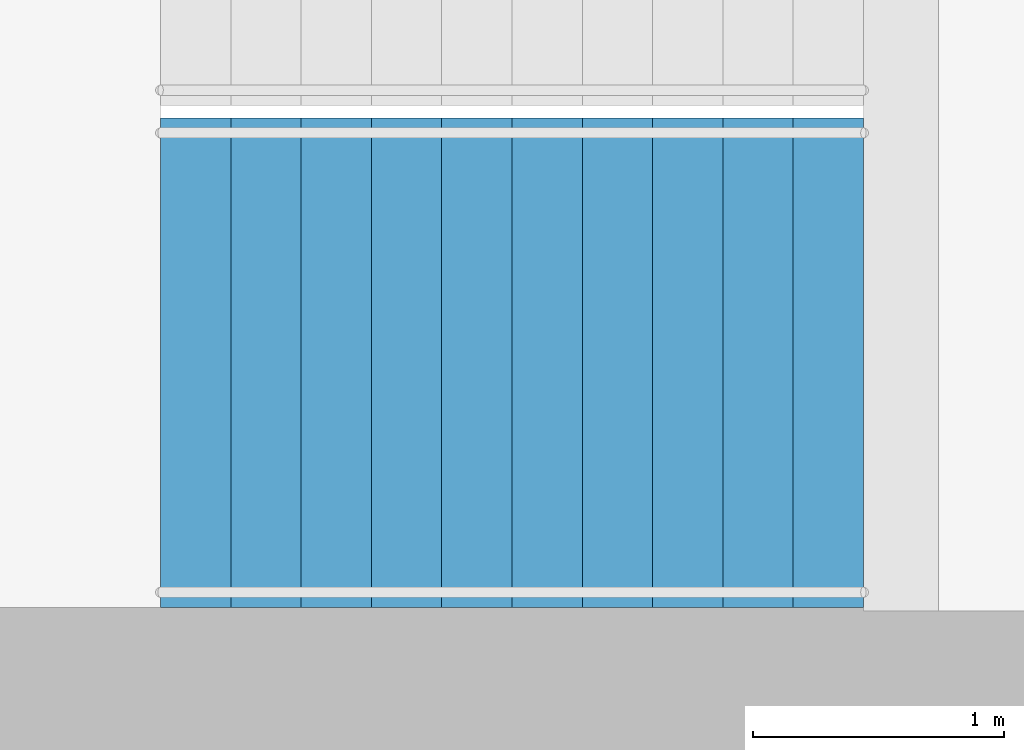
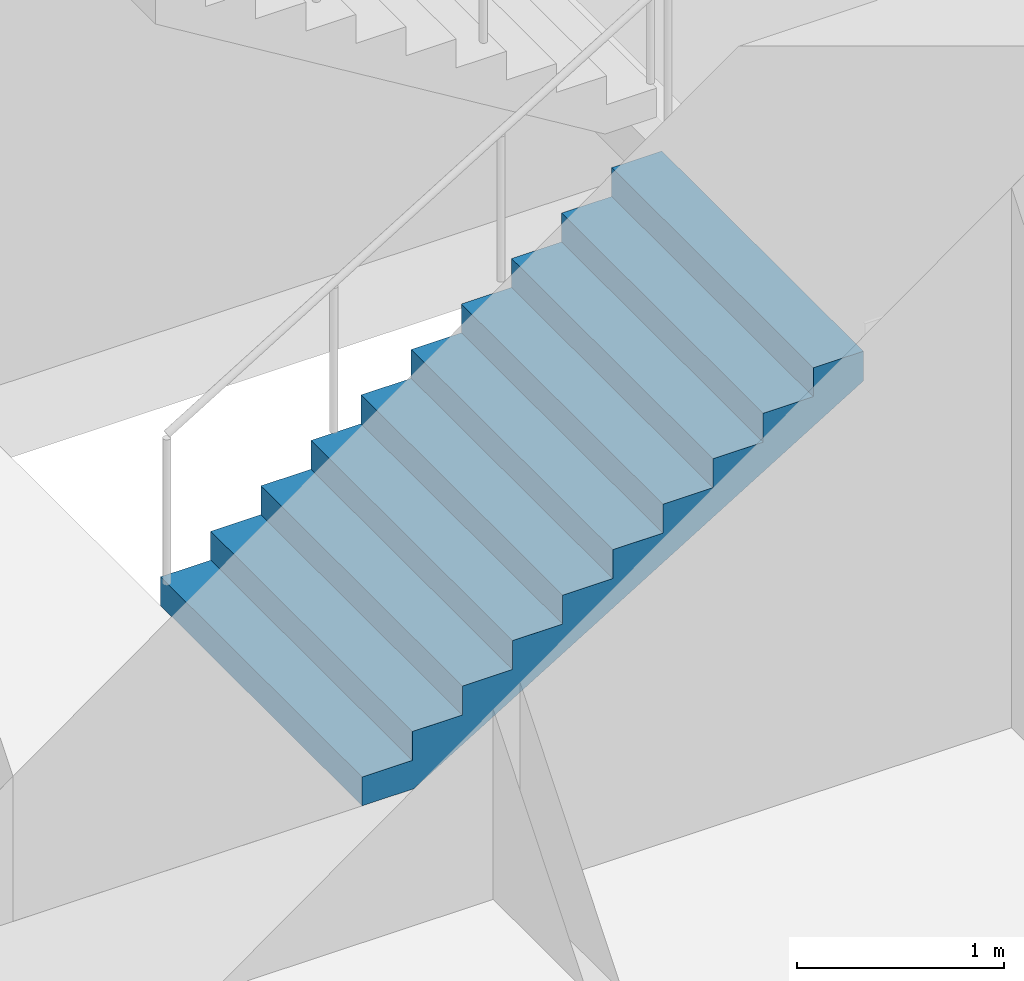
# One storey, part 22 of 28: 1 stair flight, 1 element without a shape of its own.
"""IFC4 building model written with IfcOpenShell, lengths in metres."""

from ifc_helpers import new_model, si_unit, direction, frame, origin, place, context, subcontext, project, spatial, triangles, material, type_object, element, aggregate, save


model = new_model("IFC4")

# Units and contexts
model_context = context("Model", 3, precision=1e-05, world=origin(), true_north=direction((0.0, 1.0)))
body_context = subcontext(model_context, "Body", "Model", "MODEL_VIEW")
ifc_project = project(units=[si_unit("LENGTHUNIT", "METRE"), si_unit("AREAUNIT", "SQUARE_METRE"), si_unit("VOLUMEUNIT", "CUBIC_METRE"), si_unit("PLANEANGLEUNIT", "RADIAN"), si_unit("MASSUNIT", "GRAM", prefix="KILO")], contexts=[model_context])

# Site, building, storey
site_placement = place(None, origin())
site = spatial("IfcSite", under=ifc_project, at=site_placement, CompositionType="ELEMENT")
building_placement = place(site_placement, origin())
building = spatial("IfcBuilding", under=site, at=building_placement, Name="Orbita Commons", CompositionType="ELEMENT")
storey_placement = place(building_placement, frame((0.0, 0.0, 38.949951171875)))
storey = spatial("IfcBuildingStorey", under=building, at=storey_placement, Name="L09", CompositionType="ELEMENT", Elevation=38.949951171875)

# Stair, stair flight
ifc_material_1 = material(Name="Precast concrete C40/50", Category="concrete")
stair_type = type_object("IfcStairType", Name="Exit stair S1 2 flights 11 risers 170", PredefinedType="HALF_TURN_STAIR", material=ifc_material_1)
stair_placement = place(storey_placement, origin())
stair = element("IfcStair", 1, at=stair_placement, inside=storey, type_object=stair_type, Name="Exit stair S1 L09", PredefinedType="HALF_TURN_STAIR")
ifc_material_2 = material(Name="Precast concrete C40/50", Category="concrete")
stair_flight_type = type_object("IfcStairFlightType", Name="Stair flight 11 risers 170 x 280", PredefinedType="STRAIGHT", material=ifc_material_2)
stair_flight_placement = place(storey_placement, frame((20.449951171875, 27.27490234375, 0.0), z_axis=(0.0, 0.0, 1.0), x_axis=(1.0, 0.0, 0.0)))
stair_flight = element("IfcStairFlight", 2, at=stair_flight_placement, type_object=stair_flight_type, Name="S1 flight 1", NumberOfRisers=11, NumberOfTreads=10, PredefinedType="STRAIGHT", RiserHeight=0.170454545, TreadLength=0.28, context=body_context, shape_type="Tessellation", body=[
    triangles([(0.0, 0.974976, 0.0), (0.0, 0.974976, 0.021307), (0.0, 0.81248, 0.021307), (0.0, 0.81248, 0.0), (0.0, 0.649984, 0.021307), (0.0, 0.649984, 0.0), (0.0, 0.487488, 0.021307), (0.0, 0.487488, 0.0), (0.0, 0.324992, 0.021307), (0.0, 0.324992, 0.0), (0.0, 0.162496, 0.021307), (0.0, 0.162496, 0.0), (0.0, 0.0, 0.021307), (0.0, 0.0, 0.0), (0.0, -0.162496, 0.021307), (0.0, -0.162496, 0.0), (0.0, -0.324992, 0.021307), (0.0, -0.324992, 0.0), (0.0, -0.487488, 0.021307), (0.0, -0.487488, 0.0), (0.0, -0.649984, 0.021307), (0.0, -0.649984, 0.0), (0.0, -0.81248, 0.021307), (0.0, -0.81248, 0.0), (0.0, -0.974976, 0.021307), (0.0, -0.974976, 0.0), (0.0, 0.974976, 0.042614), (0.0, 0.81248, 0.042614), (0.0, 0.649984, 0.042614), (0.0, 0.487488, 0.042614), (0.0, 0.324992, 0.042614), (0.0, 0.162496, 0.042614), (0.0, 0.0, 0.042614), (0.0, -0.162496, 0.042614), (0.0, -0.324992, 0.042614), (0.0, -0.487488, 0.042614), (0.0, -0.649984, 0.042614), (0.0, -0.81248, 0.042614), (0.0, -0.974976, 0.042614), (0.0, 0.974976, 0.06392), (0.0, 0.81248, 0.06392), (0.0, 0.649984, 0.06392), (0.0, 0.487488, 0.06392), (0.0, 0.324992, 0.06392), (0.0, 0.162496, 0.06392), (0.0, 0.0, 0.06392), (0.0, -0.162496, 0.06392), (0.0, -0.324992, 0.06392), (0.0, -0.487488, 0.06392), (0.0, -0.649984, 0.06392), (0.0, -0.81248, 0.06392), (0.0, -0.974976, 0.06392), (0.0, 0.974976, 0.085227), (0.0, 0.81248, 0.085227), (0.0, 0.649984, 0.085227), (0.0, 0.487488, 0.085227), (0.0, 0.324992, 0.085227), (0.0, 0.162496, 0.085227), (0.0, 0.0, 0.085227), (0.0, -0.162496, 0.085227), (0.0, -0.324992, 0.085227), (0.0, -0.487488, 0.085227), (0.0, -0.649984, 0.085227), (0.0, -0.81248, 0.085227), (0.0, -0.974976, 0.085227), (0.0, 0.974976, 0.106534), (0.0, 0.81248, 0.106534), (0.0, 0.649984, 0.106534), (0.0, 0.487488, 0.106534), (0.0, 0.324992, 0.106534), (0.0, 0.162496, 0.106534), (0.0, 0.0, 0.106534), (0.0, -0.162496, 0.106534), (0.0, -0.324992, 0.106534), (0.0, -0.487488, 0.106534), (0.0, -0.649984, 0.106534), (0.0, -0.81248, 0.106534), (0.0, -0.974976, 0.106534), (0.0, 0.974976, 0.127841), (0.0, 0.81248, 0.127841), (0.0, 0.649984, 0.127841), (0.0, 0.487488, 0.127841), (0.0, 0.324992, 0.127841), (0.0, 0.162496, 0.127841), (0.0, 0.0, 0.127841), (0.0, -0.162496, 0.127841), (0.0, -0.324992, 0.127841), (0.0, -0.487488, 0.127841), (0.0, -0.649984, 0.127841), (0.0, -0.81248, 0.127841), (0.0, -0.974976, 0.127841), (0.0, 0.974976, 0.149148), (0.0, 0.81248, 0.149148), (0.0, 0.649984, 0.149148), (0.0, 0.487488, 0.149148), (0.0, 0.324992, 0.149148), (0.0, 0.162496, 0.149148), (0.0, 0.0, 0.149148), (0.0, -0.162496, 0.149148), (0.0, -0.324992, 0.149148), (0.0, -0.487488, 0.149148), (0.0, -0.649984, 0.149148), (0.0, -0.81248, 0.149148), (0.0, -0.974976, 0.149148), (0.0, 0.974976, 0.170455), (0.0, 0.81248, 0.170455), (0.0, 0.649984, 0.170455), (0.0, 0.487488, 0.170455), (0.0, 0.324992, 0.170455), (0.0, 0.162496, 0.170455), (0.0, 0.0, 0.170455), (0.0, -0.162496, 0.170455), (0.0, -0.324992, 0.170455), (0.0, -0.487488, 0.170455), (0.0, -0.649984, 0.170455), (0.0, -0.81248, 0.170455), (0.0, -0.974976, 0.170455), (0.28, 0.974976, 0.170455), (0.28, 0.81248, 0.170455), (0.28, 0.649984, 0.170455), (0.28, 0.487488, 0.170455), (0.28, 0.324992, 0.170455), (0.28, 0.162496, 0.170455), (0.28, 0.0, 0.170455), (0.28, -0.162496, 0.170455), (0.28, -0.324992, 0.170455), (0.28, -0.487488, 0.170455), (0.28, -0.649984, 0.170455), (0.28, -0.81248, 0.170455), (0.28, -0.974976, 0.170455), (0.28, 0.974976, 0.340909), (0.28, 0.81248, 0.340909), (0.28, 0.649984, 0.340909), (0.28, 0.487488, 0.340909), (0.28, 0.324992, 0.340909), (0.28, 0.162496, 0.340909), (0.28, 0.0, 0.340909), (0.28, -0.162496, 0.340909), (0.28, -0.324992, 0.340909), (0.28, -0.487488, 0.340909), (0.28, -0.649984, 0.340909), (0.28, -0.81248, 0.340909), (0.28, -0.974976, 0.340909), (0.56, 0.974976, 0.340909), (0.56, 0.81248, 0.340909), (0.56, 0.649984, 0.340909), (0.56, 0.487488, 0.340909), (0.56, 0.324992, 0.340909), (0.56, 0.162496, 0.340909), (0.56, 0.0, 0.340909), (0.56, -0.162496, 0.340909), (0.56, -0.324992, 0.340909), (0.56, -0.487488, 0.340909), (0.56, -0.649984, 0.340909), (0.56, -0.81248, 0.340909), (0.56, -0.974976, 0.340909), (0.56, 0.974976, 0.511364), (0.56, 0.81248, 0.511364), (0.56, 0.649984, 0.511364), (0.56, 0.487488, 0.511364), (0.56, 0.324992, 0.511364), (0.56, 0.162496, 0.511364), (0.56, 0.0, 0.511364), (0.56, -0.162496, 0.511364), (0.56, -0.324992, 0.511364), (0.56, -0.487488, 0.511364), (0.56, -0.649984, 0.511364), (0.56, -0.81248, 0.511364), (0.56, -0.974976, 0.511364), (0.84, 0.974976, 0.511364), (0.84, 0.81248, 0.511364), (0.84, 0.649984, 0.511364), (0.84, 0.487488, 0.511364), (0.84, 0.324992, 0.511364), (0.84, 0.162496, 0.511364), (0.84, 0.0, 0.511364), (0.84, -0.162496, 0.511364), (0.84, -0.324992, 0.511364), (0.84, -0.487488, 0.511364), (0.84, -0.649984, 0.511364), (0.84, -0.81248, 0.511364), (0.84, -0.974976, 0.511364), (0.84, 0.974976, 0.681818), (0.84, 0.81248, 0.681818), (0.84, 0.649984, 0.681818), (0.84, 0.487488, 0.681818), (0.84, 0.324992, 0.681818), (0.84, 0.162496, 0.681818), (0.84, 0.0, 0.681818), (0.84, -0.162496, 0.681818), (0.84, -0.324992, 0.681818), (0.84, -0.487488, 0.681818), (0.84, -0.649984, 0.681818), (0.84, -0.81248, 0.681818), (0.84, -0.974976, 0.681818), (1.12, 0.974976, 0.681818), (1.12, 0.81248, 0.681818), (1.12, 0.649984, 0.681818), (1.12, 0.487488, 0.681818), (1.12, 0.324992, 0.681818), (1.12, 0.162496, 0.681818), (1.12, 0.0, 0.681818), (1.12, -0.162496, 0.681818), (1.12, -0.324992, 0.681818), (1.12, -0.487488, 0.681818), (1.12, -0.649984, 0.681818), (1.12, -0.81248, 0.681818), (1.12, -0.974976, 0.681818), (1.12, 0.974976, 0.852273), (1.12, 0.81248, 0.852273), (1.12, 0.649984, 0.852273), (1.12, 0.487488, 0.852273), (1.12, 0.324992, 0.852273), (1.12, 0.162496, 0.852273), (1.12, 0.0, 0.852273), (1.12, -0.162496, 0.852273), (1.12, -0.324992, 0.852273), (1.12, -0.487488, 0.852273), (1.12, -0.649984, 0.852273), (1.12, -0.81248, 0.852273), (1.12, -0.974976, 0.852273), (1.4, 0.974976, 0.852273), (1.4, 0.81248, 0.852273), (1.4, 0.649984, 0.852273), (1.4, 0.487488, 0.852273), (1.4, 0.324992, 0.852273), (1.4, 0.162496, 0.852273), (1.4, 0.0, 0.852273), (1.4, -0.162496, 0.852273), (1.4, -0.324992, 0.852273), (1.4, -0.487488, 0.852273), (1.4, -0.649984, 0.852273), (1.4, -0.81248, 0.852273), (1.4, -0.974976, 0.852273), (1.4, 0.974976, 1.022727), (1.4, 0.81248, 1.022727), (1.4, 0.649984, 1.022727), (1.4, 0.487488, 1.022727), (1.4, 0.324992, 1.022727), (1.4, 0.162496, 1.022727), (1.4, 0.0, 1.022727), (1.4, -0.162496, 1.022727), (1.4, -0.324992, 1.022727), (1.4, -0.487488, 1.022727), (1.4, -0.649984, 1.022727), (1.4, -0.81248, 1.022727), (1.4, -0.974976, 1.022727), (1.68, 0.974976, 1.022727), (1.68, 0.81248, 1.022727), (1.68, 0.649984, 1.022727), (1.68, 0.487488, 1.022727), (1.68, 0.324992, 1.022727), (1.68, 0.162496, 1.022727), (1.68, 0.0, 1.022727), (1.68, -0.162496, 1.022727), (1.68, -0.324992, 1.022727), (1.68, -0.487488, 1.022727), (1.68, -0.649984, 1.022727), (1.68, -0.81248, 1.022727), (1.68, -0.974976, 1.022727), (1.68, 0.974976, 1.193182), (1.68, 0.81248, 1.193182), (1.68, 0.649984, 1.193182), (1.68, 0.487488, 1.193182), (1.68, 0.324992, 1.193182), (1.68, 0.162496, 1.193182), (1.68, 0.0, 1.193182), (1.68, -0.162496, 1.193182), (1.68, -0.324992, 1.193182), (1.68, -0.487488, 1.193182), (1.68, -0.649984, 1.193182), (1.68, -0.81248, 1.193182), (1.68, -0.974976, 1.193182), (1.96, 0.974976, 1.193182), (1.96, 0.81248, 1.193182), (1.96, 0.649984, 1.193182), (1.96, 0.487488, 1.193182), (1.96, 0.324992, 1.193182), (1.96, 0.162496, 1.193182), (1.96, 0.0, 1.193182), (1.96, -0.162496, 1.193182), (1.96, -0.324992, 1.193182), (1.96, -0.487488, 1.193182), (1.96, -0.649984, 1.193182), (1.96, -0.81248, 1.193182), (1.96, -0.974976, 1.193182), (1.96, 0.974976, 1.363636), (1.96, 0.81248, 1.363636), (1.96, 0.649984, 1.363636), (1.96, 0.487488, 1.363636), (1.96, 0.324992, 1.363636), (1.96, 0.162496, 1.363636), (1.96, 0.0, 1.363636), (1.96, -0.162496, 1.363636), (1.96, -0.324992, 1.363636), (1.96, -0.487488, 1.363636), (1.96, -0.649984, 1.363636), (1.96, -0.81248, 1.363636), (1.96, -0.974976, 1.363636), (2.24, 0.974976, 1.363636), (2.24, 0.81248, 1.363636), (2.24, 0.649984, 1.363636), (2.24, 0.487488, 1.363636), (2.24, 0.324992, 1.363636), (2.24, 0.162496, 1.363636), (2.24, 0.0, 1.363636), (2.24, -0.162496, 1.363636), (2.24, -0.324992, 1.363636), (2.24, -0.487488, 1.363636), (2.24, -0.649984, 1.363636), (2.24, -0.81248, 1.363636), (2.24, -0.974976, 1.363636), (2.24, 0.974976, 1.534091), (2.24, 0.81248, 1.534091), (2.24, 0.649984, 1.534091), (2.24, 0.487488, 1.534091), (2.24, 0.324992, 1.534091), (2.24, 0.162496, 1.534091), (2.24, 0.0, 1.534091), (2.24, -0.162496, 1.534091), (2.24, -0.324992, 1.534091), (2.24, -0.487488, 1.534091), (2.24, -0.649984, 1.534091), (2.24, -0.81248, 1.534091), (2.24, -0.974976, 1.534091), (2.52, 0.974976, 1.534091), (2.52, 0.81248, 1.534091), (2.52, 0.649984, 1.534091), (2.52, 0.487488, 1.534091), (2.52, 0.324992, 1.534091), (2.52, 0.162496, 1.534091), (2.52, 0.0, 1.534091), (2.52, -0.162496, 1.534091), (2.52, -0.324992, 1.534091), (2.52, -0.487488, 1.534091), (2.52, -0.649984, 1.534091), (2.52, -0.81248, 1.534091), (2.52, -0.974976, 1.534091), (2.52, 0.974976, 1.704545), (2.52, 0.81248, 1.704545), (2.52, 0.649984, 1.704545), (2.52, 0.487488, 1.704545), (2.52, 0.324992, 1.704545), (2.52, 0.162496, 1.704545), (2.52, 0.0, 1.704545), (2.52, -0.162496, 1.704545), (2.52, -0.324992, 1.704545), (2.52, -0.487488, 1.704545), (2.52, -0.649984, 1.704545), (2.52, -0.81248, 1.704545), (2.52, -0.974976, 1.704545), (2.8, 0.974976, 1.704545), (2.8, 0.81248, 1.704545), (2.8, 0.649984, 1.704545), (2.8, 0.487488, 1.704545), (2.8, 0.324992, 1.704545), (2.8, 0.162496, 1.704545), (2.8, 0.0, 1.704545), (2.8, -0.162496, 1.704545), (2.8, -0.324992, 1.704545), (2.8, -0.487488, 1.704545), (2.8, -0.649984, 1.704545), (2.8, -0.81248, 1.704545), (2.8, -0.974976, 1.704545), (2.8, 0.974976, 1.682609), (2.8, 0.81248, 1.682609), (2.8, 0.649984, 1.682609), (2.8, 0.487488, 1.682609), (2.8, 0.324992, 1.682609), (2.8, 0.162496, 1.682609), (2.8, 0.0, 1.682609), (2.8, -0.162496, 1.682609), (2.8, -0.324992, 1.682609), (2.8, -0.487488, 1.682609), (2.8, -0.649984, 1.682609), (2.8, -0.81248, 1.682609), (2.8, -0.974976, 1.682609), (2.8, 0.974976, 1.660672), (2.8, 0.81248, 1.660672), (2.8, 0.649984, 1.660672), (2.8, 0.487488, 1.660672), (2.8, 0.324992, 1.660672), (2.8, 0.162496, 1.660672), (2.8, 0.0, 1.660672), (2.8, -0.162496, 1.660672), (2.8, -0.324992, 1.660672), (2.8, -0.487488, 1.660672), (2.8, -0.649984, 1.660672), (2.8, -0.81248, 1.660672), (2.8, -0.974976, 1.660672), (2.8, 0.974976, 1.638735), (2.8, 0.81248, 1.638735), (2.8, 0.649984, 1.638735), (2.8, 0.487488, 1.638735), (2.8, 0.324992, 1.638735), (2.8, 0.162496, 1.638735), (2.8, 0.0, 1.638735), (2.8, -0.162496, 1.638735), (2.8, -0.324992, 1.638735), (2.8, -0.487488, 1.638735), (2.8, -0.649984, 1.638735), (2.8, -0.81248, 1.638735), (2.8, -0.974976, 1.638735), (2.8, 0.974976, 1.616798), (2.8, 0.81248, 1.616798), (2.8, 0.649984, 1.616798), (2.8, 0.487488, 1.616798), (2.8, 0.324992, 1.616798), (2.8, 0.162496, 1.616798), (2.8, 0.0, 1.616798), (2.8, -0.162496, 1.616798), (2.8, -0.324992, 1.616798), (2.8, -0.487488, 1.616798), (2.8, -0.649984, 1.616798), (2.8, -0.81248, 1.616798), (2.8, -0.974976, 1.616798), (2.8, 0.974976, 1.594861), (2.8, 0.81248, 1.594861), (2.8, 0.649984, 1.594861), (2.8, 0.487488, 1.594861), (2.8, 0.324992, 1.594861), (2.8, 0.162496, 1.594861), (2.8, 0.0, 1.594861), (2.8, -0.162496, 1.594861), (2.8, -0.324992, 1.594861), (2.8, -0.487488, 1.594861), (2.8, -0.649984, 1.594861), (2.8, -0.81248, 1.594861), (2.8, -0.974976, 1.594861), (2.8, 0.974976, 1.572925), (2.8, 0.81248, 1.572925), (2.8, 0.649984, 1.572925), (2.8, 0.487488, 1.572925), (2.8, 0.324992, 1.572925), (2.8, 0.162496, 1.572925), (2.8, 0.0, 1.572925), (2.8, -0.162496, 1.572925), (2.8, -0.324992, 1.572925), (2.8, -0.487488, 1.572925), (2.8, -0.649984, 1.572925), (2.8, -0.81248, 1.572925), (2.8, -0.974976, 1.572925), (2.8, 0.974976, 1.550988), (2.8, 0.81248, 1.550988), (2.8, 0.649984, 1.550988), (2.8, 0.487488, 1.550988), (2.8, 0.324992, 1.550988), (2.8, 0.162496, 1.550988), (2.8, 0.0, 1.550988), (2.8, -0.162496, 1.550988), (2.8, -0.324992, 1.550988), (2.8, -0.487488, 1.550988), (2.8, -0.649984, 1.550988), (2.8, -0.81248, 1.550988), (2.8, -0.974976, 1.550988), (2.8, 0.974976, 1.529051), (2.8, 0.81248, 1.529051), (2.8, 0.649984, 1.529051), (2.8, 0.487488, 1.529051), (2.8, 0.324992, 1.529051), (2.8, 0.162496, 1.529051), (2.8, 0.0, 1.529051), (2.8, -0.162496, 1.529051), (2.8, -0.324992, 1.529051), (2.8, -0.487488, 1.529051), (2.8, -0.649984, 1.529051), (2.8, -0.81248, 1.529051), (2.8, -0.974976, 1.529051), (0.288279, 0.974976, 0.0), (0.288279, 0.81248, 0.0), (0.288279, 0.649984, 0.0), (0.288279, 0.487488, 0.0), (0.288279, 0.324992, 0.0), (0.288279, 0.162496, 0.0), (0.288279, 0.0, 0.0), (0.288279, -0.162496, 0.0), (0.288279, -0.324992, 0.0), (0.288279, -0.487488, 0.0), (0.288279, -0.649984, 0.0), (0.288279, -0.81248, 0.0), (0.288279, -0.974976, 0.0)], [[3, 2, 1], [4, 3, 1], [5, 3, 4], [6, 5, 4], [7, 5, 6], [8, 7, 6], [9, 7, 8], [10, 9, 8], [11, 9, 10], [12, 11, 10], [13, 11, 12], [14, 13, 12], [15, 13, 14], [16, 15, 14], [17, 15, 16], [18, 17, 16], [19, 17, 18], [20, 19, 18], [21, 19, 20], [22, 21, 20], [23, 21, 22], [24, 23, 22], [25, 23, 24], [26, 25, 24], [28, 27, 2], [3, 28, 2], [29, 28, 3], [5, 29, 3], [30, 29, 5], [7, 30, 5], [31, 30, 7], [9, 31, 7], [32, 31, 9], [11, 32, 9], [33, 32, 11], [13, 33, 11], [34, 33, 13], [15, 34, 13], [35, 34, 15], [17, 35, 15], [36, 35, 17], [19, 36, 17], [37, 36, 19], [21, 37, 19], [38, 37, 21], [23, 38, 21], [39, 38, 23], [25, 39, 23], [41, 40, 27], [28, 41, 27], [42, 41, 28], [29, 42, 28], [43, 42, 29], [30, 43, 29], [44, 43, 30], [31, 44, 30], [45, 44, 31], [32, 45, 31], [46, 45, 32], [33, 46, 32], [47, 46, 33], [34, 47, 33], [48, 47, 34], [35, 48, 34], [49, 48, 35], [36, 49, 35], [50, 49, 36], [37, 50, 36], [51, 50, 37], [38, 51, 37], [52, 51, 38], [39, 52, 38], [54, 53, 40], [41, 54, 40], [55, 54, 41], [42, 55, 41], [56, 55, 42], [43, 56, 42], [57, 56, 43], [44, 57, 43], [58, 57, 44], [45, 58, 44], [59, 58, 45], [46, 59, 45], [60, 59, 46], [47, 60, 46], [61, 60, 47], [48, 61, 47], [62, 61, 48], [49, 62, 48], [63, 62, 49], [50, 63, 49], [64, 63, 50], [51, 64, 50], [65, 64, 51], [52, 65, 51], [67, 66, 53], [54, 67, 53], [68, 67, 54], [55, 68, 54], [69, 68, 55], [56, 69, 55], [70, 69, 56], [57, 70, 56], [71, 70, 57], [58, 71, 57], [72, 71, 58], [59, 72, 58], [73, 72, 59], [60, 73, 59], [74, 73, 60], [61, 74, 60], [75, 74, 61], [62, 75, 61], [76, 75, 62], [63, 76, 62], [77, 76, 63], [64, 77, 63], [78, 77, 64], [65, 78, 64], [80, 79, 66], [67, 80, 66], [81, 80, 67], [68, 81, 67], [82, 81, 68], [69, 82, 68], [83, 82, 69], [70, 83, 69], [84, 83, 70], [71, 84, 70], [85, 84, 71], [72, 85, 71], [86, 85, 72], [73, 86, 72], [87, 86, 73], [74, 87, 73], [88, 87, 74], [75, 88, 74], [89, 88, 75], [76, 89, 75], [90, 89, 76], [77, 90, 76], [91, 90, 77], [78, 91, 77], [93, 92, 79], [80, 93, 79], [94, 93, 80], [81, 94, 80], [95, 94, 81], [82, 95, 81], [96, 95, 82], [83, 96, 82], [97, 96, 83], [84, 97, 83], [98, 97, 84], [85, 98, 84], [99, 98, 85], [86, 99, 85], [100, 99, 86], [87, 100, 86], [101, 100, 87], [88, 101, 87], [102, 101, 88], [89, 102, 88], [103, 102, 89], [90, 103, 89], [104, 103, 90], [91, 104, 90], [106, 105, 92], [93, 106, 92], [107, 106, 93], [94, 107, 93], [108, 107, 94], [95, 108, 94], [109, 108, 95], [96, 109, 95], [110, 109, 96], [97, 110, 96], [111, 110, 97], [98, 111, 97], [112, 111, 98], [99, 112, 98], [113, 112, 99], [100, 113, 99], [114, 113, 100], [101, 114, 100], [115, 114, 101], [102, 115, 101], [116, 115, 102], [103, 116, 102], [117, 116, 103], [104, 117, 103], [119, 118, 105], [106, 119, 105], [120, 119, 106], [107, 120, 106], [121, 120, 107], [108, 121, 107], [122, 121, 108], [109, 122, 108], [123, 122, 109], [110, 123, 109], [124, 123, 110], [111, 124, 110], [125, 124, 111], [112, 125, 111], [126, 125, 112], [113, 126, 112], [127, 126, 113], [114, 127, 113], [128, 127, 114], [115, 128, 114], [129, 128, 115], [116, 129, 115], [130, 129, 116], [117, 130, 116], [132, 131, 118], [119, 132, 118], [133, 132, 119], [120, 133, 119], [134, 133, 120], [121, 134, 120], [135, 134, 121], [122, 135, 121], [136, 135, 122], [123, 136, 122], [137, 136, 123], [124, 137, 123], [138, 137, 124], [125, 138, 124], [139, 138, 125], [126, 139, 125], [140, 139, 126], [127, 140, 126], [141, 140, 127], [128, 141, 127], [142, 141, 128], [129, 142, 128], [143, 142, 129], [130, 143, 129], [145, 144, 131], [132, 145, 131], [146, 145, 132], [133, 146, 132], [147, 146, 133], [134, 147, 133], [148, 147, 134], [135, 148, 134], [149, 148, 135], [136, 149, 135], [150, 149, 136], [137, 150, 136], [151, 150, 137], [138, 151, 137], [152, 151, 138], [139, 152, 138], [153, 152, 139], [140, 153, 139], [154, 153, 140], [141, 154, 140], [155, 154, 141], [142, 155, 141], [156, 155, 142], [143, 156, 142], [158, 157, 144], [145, 158, 144], [159, 158, 145], [146, 159, 145], [160, 159, 146], [147, 160, 146], [161, 160, 147], [148, 161, 147], [162, 161, 148], [149, 162, 148], [163, 162, 149], [150, 163, 149], [164, 163, 150], [151, 164, 150], [165, 164, 151], [152, 165, 151], [166, 165, 152], [153, 166, 152], [167, 166, 153], [154, 167, 153], [168, 167, 154], [155, 168, 154], [169, 168, 155], [156, 169, 155], [171, 170, 157], [158, 171, 157], [172, 171, 158], [159, 172, 158], [173, 172, 159], [160, 173, 159], [174, 173, 160], [161, 174, 160], [175, 174, 161], [162, 175, 161], [176, 175, 162], [163, 176, 162], [177, 176, 163], [164, 177, 163], [178, 177, 164], [165, 178, 164], [179, 178, 165], [166, 179, 165], [180, 179, 166], [167, 180, 166], [181, 180, 167], [168, 181, 167], [182, 181, 168], [169, 182, 168], [184, 183, 170], [171, 184, 170], [185, 184, 171], [172, 185, 171], [186, 185, 172], [173, 186, 172], [187, 186, 173], [174, 187, 173], [188, 187, 174], [175, 188, 174], [189, 188, 175], [176, 189, 175], [190, 189, 176], [177, 190, 176], [191, 190, 177], [178, 191, 177], [192, 191, 178], [179, 192, 178], [193, 192, 179], [180, 193, 179], [194, 193, 180], [181, 194, 180], [195, 194, 181], [182, 195, 181], [197, 196, 183], [184, 197, 183], [198, 197, 184], [185, 198, 184], [199, 198, 185], [186, 199, 185], [200, 199, 186], [187, 200, 186], [201, 200, 187], [188, 201, 187], [202, 201, 188], [189, 202, 188], [203, 202, 189], [190, 203, 189], [204, 203, 190], [191, 204, 190], [205, 204, 191], [192, 205, 191], [206, 205, 192], [193, 206, 192], [207, 206, 193], [194, 207, 193], [208, 207, 194], [195, 208, 194], [210, 209, 196], [197, 210, 196], [211, 210, 197], [198, 211, 197], [212, 211, 198], [199, 212, 198], [213, 212, 199], [200, 213, 199], [214, 213, 200], [201, 214, 200], [215, 214, 201], [202, 215, 201], [216, 215, 202], [203, 216, 202], [217, 216, 203], [204, 217, 203], [218, 217, 204], [205, 218, 204], [219, 218, 205], [206, 219, 205], [220, 219, 206], [207, 220, 206], [221, 220, 207], [208, 221, 207], [223, 222, 209], [210, 223, 209], [224, 223, 210], [211, 224, 210], [225, 224, 211], [212, 225, 211], [226, 225, 212], [213, 226, 212], [227, 226, 213], [214, 227, 213], [228, 227, 214], [215, 228, 214], [229, 228, 215], [216, 229, 215], [230, 229, 216], [217, 230, 216], [231, 230, 217], [218, 231, 217], [232, 231, 218], [219, 232, 218], [233, 232, 219], [220, 233, 219], [234, 233, 220], [221, 234, 220], [236, 235, 222], [223, 236, 222], [237, 236, 223], [224, 237, 223], [238, 237, 224], [225, 238, 224], [239, 238, 225], [226, 239, 225], [240, 239, 226], [227, 240, 226], [241, 240, 227], [228, 241, 227], [242, 241, 228], [229, 242, 228], [243, 242, 229], [230, 243, 229], [244, 243, 230], [231, 244, 230], [245, 244, 231], [232, 245, 231], [246, 245, 232], [233, 246, 232], [247, 246, 233], [234, 247, 233], [249, 248, 235], [236, 249, 235], [250, 249, 236], [237, 250, 236], [251, 250, 237], [238, 251, 237], [252, 251, 238], [239, 252, 238], [253, 252, 239], [240, 253, 239], [254, 253, 240], [241, 254, 240], [255, 254, 241], [242, 255, 241], [256, 255, 242], [243, 256, 242], [257, 256, 243], [244, 257, 243], [258, 257, 244], [245, 258, 244], [259, 258, 245], [246, 259, 245], [260, 259, 246], [247, 260, 246], [262, 261, 248], [249, 262, 248], [263, 262, 249], [250, 263, 249], [264, 263, 250], [251, 264, 250], [265, 264, 251], [252, 265, 251], [266, 265, 252], [253, 266, 252], [267, 266, 253], [254, 267, 253], [268, 267, 254], [255, 268, 254], [269, 268, 255], [256, 269, 255], [270, 269, 256], [257, 270, 256], [271, 270, 257], [258, 271, 257], [272, 271, 258], [259, 272, 258], [273, 272, 259], [260, 273, 259], [275, 274, 261], [262, 275, 261], [276, 275, 262], [263, 276, 262], [277, 276, 263], [264, 277, 263], [278, 277, 264], [265, 278, 264], [279, 278, 265], [266, 279, 265], [280, 279, 266], [267, 280, 266], [281, 280, 267], [268, 281, 267], [282, 281, 268], [269, 282, 268], [283, 282, 269], [270, 283, 269], [284, 283, 270], [271, 284, 270], [285, 284, 271], [272, 285, 271], [286, 285, 272], [273, 286, 272], [288, 287, 274], [275, 288, 274], [289, 288, 275], [276, 289, 275], [290, 289, 276], [277, 290, 276], [291, 290, 277], [278, 291, 277], [292, 291, 278], [279, 292, 278], [293, 292, 279], [280, 293, 279], [294, 293, 280], [281, 294, 280], [295, 294, 281], [282, 295, 281], [296, 295, 282], [283, 296, 282], [297, 296, 283], [284, 297, 283], [298, 297, 284], [285, 298, 284], [299, 298, 285], [286, 299, 285], [301, 300, 287], [288, 301, 287], [302, 301, 288], [289, 302, 288], [303, 302, 289], [290, 303, 289], [304, 303, 290], [291, 304, 290], [305, 304, 291], [292, 305, 291], [306, 305, 292], [293, 306, 292], [307, 306, 293], [294, 307, 293], [308, 307, 294], [295, 308, 294], [309, 308, 295], [296, 309, 295], [310, 309, 296], [297, 310, 296], [311, 310, 297], [298, 311, 297], [312, 311, 298], [299, 312, 298], [314, 313, 300], [301, 314, 300], [315, 314, 301], [302, 315, 301], [316, 315, 302], [303, 316, 302], [317, 316, 303], [304, 317, 303], [318, 317, 304], [305, 318, 304], [319, 318, 305], [306, 319, 305], [320, 319, 306], [307, 320, 306], [321, 320, 307], [308, 321, 307], [322, 321, 308], [309, 322, 308], [323, 322, 309], [310, 323, 309], [324, 323, 310], [311, 324, 310], [325, 324, 311], [312, 325, 311], [327, 326, 313], [314, 327, 313], [328, 327, 314], [315, 328, 314], [329, 328, 315], [316, 329, 315], [330, 329, 316], [317, 330, 316], [331, 330, 317], [318, 331, 317], [332, 331, 318], [319, 332, 318], [333, 332, 319], [320, 333, 319], [334, 333, 320], [321, 334, 320], [335, 334, 321], [322, 335, 321], [336, 335, 322], [323, 336, 322], [337, 336, 323], [324, 337, 323], [338, 337, 324], [325, 338, 324], [340, 339, 326], [327, 340, 326], [341, 340, 327], [328, 341, 327], [342, 341, 328], [329, 342, 328], [343, 342, 329], [330, 343, 329], [344, 343, 330], [331, 344, 330], [345, 344, 331], [332, 345, 331], [346, 345, 332], [333, 346, 332], [347, 346, 333], [334, 347, 333], [348, 347, 334], [335, 348, 334], [349, 348, 335], [336, 349, 335], [350, 349, 336], [337, 350, 336], [351, 350, 337], [338, 351, 337], [353, 352, 339], [340, 353, 339], [354, 353, 340], [341, 354, 340], [355, 354, 341], [342, 355, 341], [356, 355, 342], [343, 356, 342], [357, 356, 343], [344, 357, 343], [358, 357, 344], [345, 358, 344], [359, 358, 345], [346, 359, 345], [360, 359, 346], [347, 360, 346], [361, 360, 347], [348, 361, 347], [362, 361, 348], [349, 362, 348], [363, 362, 349], [350, 363, 349], [364, 363, 350], [351, 364, 350], [366, 365, 352], [353, 366, 352], [367, 366, 353], [354, 367, 353], [368, 367, 354], [355, 368, 354], [369, 368, 355], [356, 369, 355], [370, 369, 356], [357, 370, 356], [371, 370, 357], [358, 371, 357], [372, 371, 358], [359, 372, 358], [373, 372, 359], [360, 373, 359], [374, 373, 360], [361, 374, 360], [375, 374, 361], [362, 375, 361], [376, 375, 362], [363, 376, 362], [377, 376, 363], [364, 377, 363], [379, 378, 365], [366, 379, 365], [380, 379, 366], [367, 380, 366], [381, 380, 367], [368, 381, 367], [382, 381, 368], [369, 382, 368], [383, 382, 369], [370, 383, 369], [384, 383, 370], [371, 384, 370], [385, 384, 371], [372, 385, 371], [386, 385, 372], [373, 386, 372], [387, 386, 373], [374, 387, 373], [388, 387, 374], [375, 388, 374], [389, 388, 375], [376, 389, 375], [390, 389, 376], [377, 390, 376], [392, 391, 378], [379, 392, 378], [393, 392, 379], [380, 393, 379], [394, 393, 380], [381, 394, 380], [395, 394, 381], [382, 395, 381], [396, 395, 382], [383, 396, 382], [397, 396, 383], [384, 397, 383], [398, 397, 384], [385, 398, 384], [399, 398, 385], [386, 399, 385], [400, 399, 386], [387, 400, 386], [401, 400, 387], [388, 401, 387], [402, 401, 388], [389, 402, 388], [403, 402, 389], [390, 403, 389], [405, 404, 391], [392, 405, 391], [406, 405, 392], [393, 406, 392], [407, 406, 393], [394, 407, 393], [408, 407, 394], [395, 408, 394], [409, 408, 395], [396, 409, 395], [410, 409, 396], [397, 410, 396], [411, 410, 397], [398, 411, 397], [412, 411, 398], [399, 412, 398], [413, 412, 399], [400, 413, 399], [414, 413, 400], [401, 414, 400], [415, 414, 401], [402, 415, 401], [416, 415, 402], [403, 416, 402], [418, 417, 404], [405, 418, 404], [419, 418, 405], [406, 419, 405], [420, 419, 406], [407, 420, 406], [421, 420, 407], [408, 421, 407], [422, 421, 408], [409, 422, 408], [423, 422, 409], [410, 423, 409], [424, 423, 410], [411, 424, 410], [425, 424, 411], [412, 425, 411], [426, 425, 412], [413, 426, 412], [427, 426, 413], [414, 427, 413], [428, 427, 414], [415, 428, 414], [429, 428, 415], [416, 429, 415], [431, 430, 417], [418, 431, 417], [432, 431, 418], [419, 432, 418], [433, 432, 419], [420, 433, 419], [434, 433, 420], [421, 434, 420], [435, 434, 421], [422, 435, 421], [436, 435, 422], [423, 436, 422], [437, 436, 423], [424, 437, 423], [438, 437, 424], [425, 438, 424], [439, 438, 425], [426, 439, 425], [440, 439, 426], [427, 440, 426], [441, 440, 427], [428, 441, 427], [442, 441, 428], [429, 442, 428], [444, 443, 430], [431, 444, 430], [445, 444, 431], [432, 445, 431], [446, 445, 432], [433, 446, 432], [447, 446, 433], [434, 447, 433], [448, 447, 434], [435, 448, 434], [449, 448, 435], [436, 449, 435], [450, 449, 436], [437, 450, 436], [451, 450, 437], [438, 451, 437], [452, 451, 438], [439, 452, 438], [453, 452, 439], [440, 453, 439], [454, 453, 440], [441, 454, 440], [455, 454, 441], [442, 455, 441], [457, 456, 443], [444, 457, 443], [458, 457, 444], [445, 458, 444], [459, 458, 445], [446, 459, 445], [460, 459, 446], [447, 460, 446], [461, 460, 447], [448, 461, 447], [462, 461, 448], [449, 462, 448], [463, 462, 449], [450, 463, 449], [464, 463, 450], [451, 464, 450], [465, 464, 451], [452, 465, 451], [466, 465, 452], [453, 466, 452], [467, 466, 453], [454, 467, 453], [468, 467, 454], [455, 468, 454], [470, 469, 456], [457, 470, 456], [471, 470, 457], [458, 471, 457], [472, 471, 458], [459, 472, 458], [473, 472, 459], [460, 473, 459], [474, 473, 460], [461, 474, 460], [475, 474, 461], [462, 475, 461], [476, 475, 462], [463, 476, 462], [477, 476, 463], [464, 477, 463], [478, 477, 464], [465, 478, 464], [479, 478, 465], [466, 479, 465], [480, 479, 466], [467, 480, 466], [481, 480, 467], [468, 481, 467], [4, 1, 469], [470, 4, 469], [6, 4, 470], [471, 6, 470], [8, 6, 471], [472, 8, 471], [10, 8, 472], [473, 10, 472], [12, 10, 473], [474, 12, 473], [14, 12, 474], [475, 14, 474], [16, 14, 475], [476, 16, 475], [18, 16, 476], [477, 18, 476], [20, 18, 477], [478, 20, 477], [22, 20, 478], [479, 22, 478], [24, 22, 479], [480, 24, 479], [26, 24, 480], [481, 26, 480], [456, 469, 1], [26, 481, 468], [443, 456, 1], [26, 468, 455], [430, 443, 1], [26, 455, 442], [417, 430, 1], [26, 442, 429], [404, 417, 1], [26, 429, 416], [391, 404, 1], [26, 416, 403], [378, 391, 1], [26, 403, 390], [365, 378, 1], [26, 390, 377], [339, 352, 365], [377, 364, 351], [326, 339, 365], [377, 351, 338], [300, 313, 326], [338, 325, 312], [300, 326, 365], [377, 338, 312], [274, 287, 300], [312, 299, 286], [274, 300, 365], [377, 312, 286], [248, 261, 274], [286, 273, 260], [248, 274, 365], [377, 286, 260], [222, 235, 248], [260, 247, 234], [222, 248, 365], [377, 260, 234], [196, 209, 222], [234, 221, 208], [196, 222, 365], [377, 234, 208], [170, 183, 196], [208, 195, 182], [170, 196, 365], [377, 208, 182], [144, 157, 170], [182, 169, 156], [144, 170, 365], [377, 182, 156], [118, 131, 144], [156, 143, 130], [118, 144, 365], [377, 156, 130], [118, 365, 1], [26, 377, 130], [92, 105, 118], [130, 117, 104], [79, 92, 118], [130, 104, 91], [66, 79, 118], [130, 91, 78], [53, 66, 118], [130, 78, 65], [40, 53, 118], [130, 65, 52], [27, 40, 118], [130, 52, 39], [2, 27, 118], [130, 39, 25], [1, 2, 118], [130, 25, 26]], closed=True),
])
aggregate(stair, [stair_flight])

save(model, "model.ifc")
